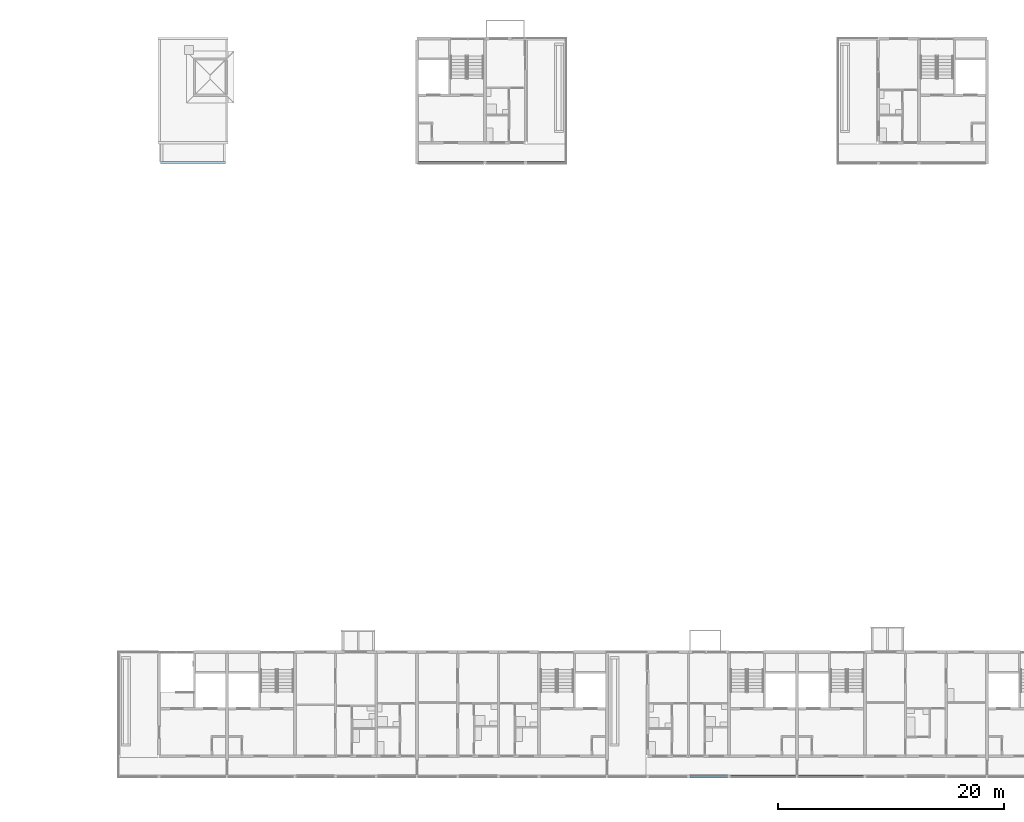
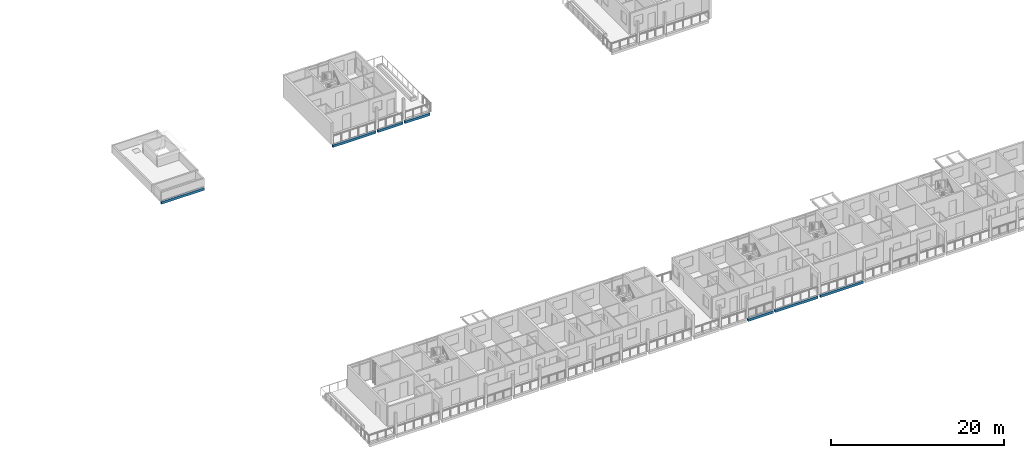
# One storey, part 12 of 64: 7 beams.
"""IFC4 building model written with IfcOpenShell, lengths in metres."""

from ifc_helpers import new_model, si_unit, direction, frame, origin, origin_2d, place, context, subcontext, project, spatial, rectangle, extrude, material, material_profile, profile_set, type_object, element, save


model = new_model("IFC4")

# Units and contexts
model_context = context("Model", 3, precision=1e-05, world=origin(), true_north=direction((0.0, 1.0)))
body_context = subcontext(model_context, "Body", "Model", "MODEL_VIEW")
ifc_project = project(units=[si_unit("LENGTHUNIT", "METRE"), si_unit("AREAUNIT", "SQUARE_METRE"), si_unit("VOLUMEUNIT", "CUBIC_METRE"), si_unit("PLANEANGLEUNIT", "RADIAN"), si_unit("MASSUNIT", "GRAM", prefix="KILO")], contexts=[model_context])

# Site, building, storey
site_placement = place(None, origin())
site = spatial("IfcSite", under=ifc_project, at=site_placement, CompositionType="ELEMENT")
building_placement = place(site_placement, origin())
building = spatial("IfcBuilding", under=site, at=building_placement, Name="Ridgestep Commons", CompositionType="ELEMENT")
storey_placement = place(building_placement, frame((0.0, 0.0, 33.0)))
storey = spatial("IfcBuildingStorey", under=building, at=storey_placement, Name="L11", CompositionType="ELEMENT", Elevation=33.0)

# Beams
ifc_material = material(Name="Precast concrete C40/50", Category="concrete")
ifc_material_profile = material_profile(ifc_material, rectangle(XDim=0.25, YDim=0.35009765625, at=origin_2d()), Name="PC 250x350")
ifc_profile_set = profile_set([ifc_material_profile], Name="Precast concrete C40/50")
beam_type = type_object("IfcBeamType", Name="Loggia edge beam 250 x 350", PredefinedType="SPANDREL", material=ifc_profile_set)
for number, where, z_axis, x_axis, name in (
    (1, (157.72509765625, 66.125, -0.375), (1.0, 0.0, 0.0), (0.0, 1.0, 0.0), "Loggia edge beam C1C L11"),
    (2, (180.550048828125, 66.125, -0.375), (1.0, 0.0, 0.0), (0.0, 1.0, 0.0), "Loggia edge beam C3C L11"),
):
    element("IfcBeam", number, at=place(storey_placement, frame(where, z_axis=z_axis, x_axis=x_axis)), inside=storey, type_object=beam_type, Name=name, PredefinedType="SPANDREL", context=body_context, shape_type="SweptSolid", body=[
        extrude(rectangle(XDim=0.25, YDim=0.35009765625, at=origin_2d()), origin(), (0.0, 0.0, 1.0), 5.724853515625),
    ])
for number, where, z_axis, x_axis, name in (
    (3, (186.52490234375, 66.125, -0.375), (1.0, 0.0, 0.0), (0.0, 1.0, 0.0), "Loggia edge beam C3T3 L11"),
    (4, (190.125, 66.125, -0.375), (1.0, 0.0, 0.0), (0.0, 1.0, 0.0), "Loggia edge beam C3T2 L11"),
    (5, (204.52490234375, 11.875, -0.375), (1.0, 0.0, 0.0), (0.0, 1.0, 0.0), "Loggia edge beam D4T3 L11"),
):
    element("IfcBeam", number, at=place(storey_placement, frame(where, z_axis=z_axis, x_axis=x_axis)), inside=storey, type_object=beam_type, Name=name, PredefinedType="SPANDREL", context=body_context, shape_type="SweptSolid", body=[
        extrude(rectangle(XDim=0.25, YDim=0.35009765625, at=origin_2d()), origin(), (0.0, 0.0, 1.0), 3.35009765625),
    ])
for number, where, z_axis, x_axis, name in (
    (6, (208.125, 11.875, -0.375), (1.0, 0.0, 0.0), (0.0, 1.0, 0.0), "Loggia edge beam D4C L11"),
    (7, (214.14990234375, 11.875, -0.375), (1.0, 0.0, 0.0), (0.0, 1.0, 0.0), "Loggia edge beam D5C L11"),
):
    element("IfcBeam", number, at=place(storey_placement, frame(where, z_axis=z_axis, x_axis=x_axis)), inside=storey, type_object=beam_type, Name=name, PredefinedType="SPANDREL", context=body_context, shape_type="SweptSolid", body=[
        extrude(rectangle(XDim=0.25, YDim=0.35009765625, at=origin_2d()), origin(), (0.0, 0.0, 1.0), 5.72509765625),
    ])

save(model, "model.ifc")
